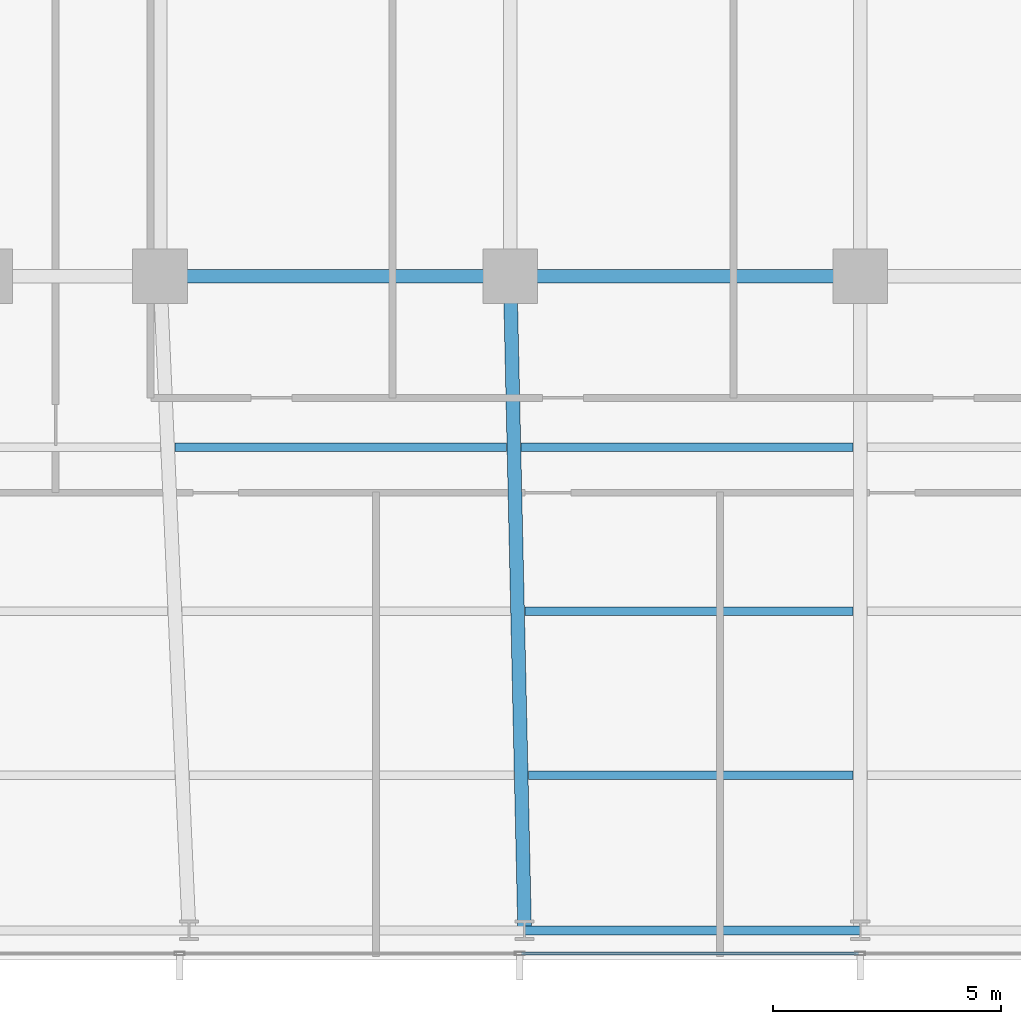
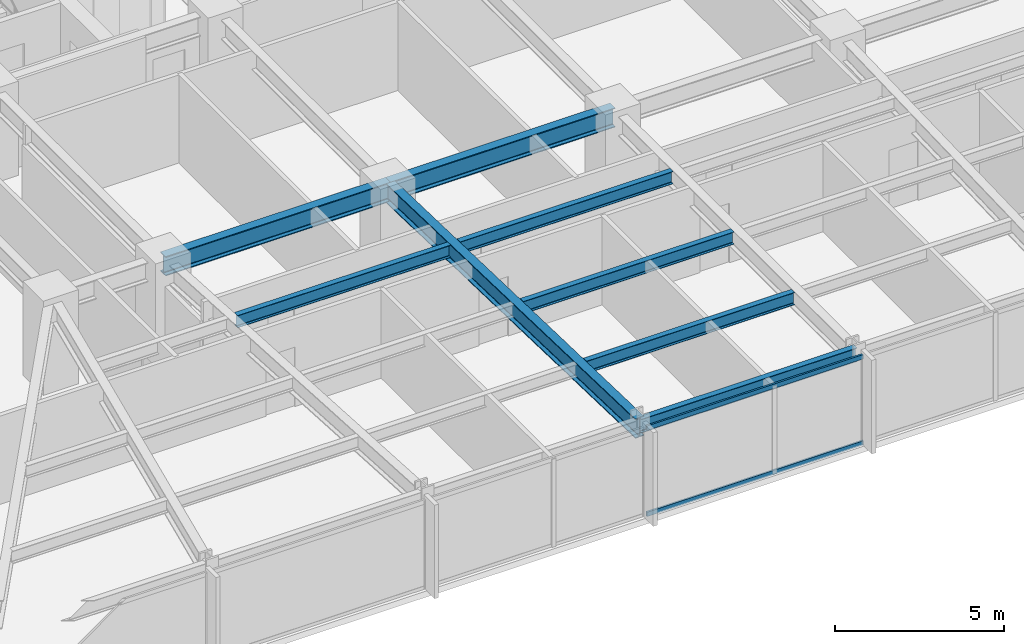
# One storey, part 6 of 33: 8 beams, 2 members, 1 element without a shape of its own.
"""IFC4 building model written with IfcOpenShell, lengths in metres."""

from ifc_helpers import new_model, si_unit, direction, frame, origin, origin_2d, place, context, subcontext, project, spatial, hollow_rectangle, i_section, extrude, material, material_profile, profile_set, type_object, element, aggregate, save


model = new_model("IFC4")

# Units and contexts
model_context = context("Model", 3, precision=1e-05, world=origin(), true_north=direction((0.0, 1.0)))
body_context = subcontext(model_context, "Body", "Model", "MODEL_VIEW")
ifc_project = project(units=[si_unit("LENGTHUNIT", "METRE"), si_unit("AREAUNIT", "SQUARE_METRE"), si_unit("VOLUMEUNIT", "CUBIC_METRE"), si_unit("PLANEANGLEUNIT", "RADIAN"), si_unit("MASSUNIT", "GRAM", prefix="KILO")], contexts=[model_context])

# Site, building, storey
site_placement = place(None, origin())
site = spatial("IfcSite", under=ifc_project, at=site_placement, CompositionType="ELEMENT")
building_placement = place(site_placement, origin())
building = spatial("IfcBuilding", under=site, at=building_placement, Name="Yelkora Congress Tower", CompositionType="ELEMENT")
storey_placement = place(building_placement, frame((0.0, 0.0, 71.199951171875)))
storey = spatial("IfcBuildingStorey", under=building, at=storey_placement, Name="L18", CompositionType="ELEMENT", Elevation=71.199951171875)

# Beams
ifc_material_1 = material(Name="Steel S355J2", Category="steel")
ifc_material_profile_1 = material_profile(ifc_material_1, i_section(OverallWidth=0.300048828125, OverallDepth=0.699951171875, WebThickness=0.01708984375, FlangeThickness=0.031982421875, FilletRadius=0.027099609375, at=origin_2d()), Name="HEB 700")
ifc_profile_set_1 = profile_set([ifc_material_profile_1], Name="Steel S355J2")
beam_type_1 = type_object("IfcBeamType", Name="BM-GIRD-HEB700", PredefinedType="BEAM", material=ifc_profile_set_1)
for number, where, z_axis, x_axis, name in (
    (1, (23.0400390625, 25.199951171875, 2.830078125), (1.0, 0.0, 0.0), (0.0, 1.0, 0.0), "L18 Spine Grid D Girder 2"),
    (2, (30.719970703125, 25.199951171875, 2.830078125), (1.0, 0.0, 0.0), (0.0, 1.0, 0.0), "L18 Spine Grid D Girder 3"),
):
    element("IfcBeam", number, at=place(storey_placement, frame(where, z_axis=z_axis, x_axis=x_axis)), inside=storey, type_object=beam_type_1, Name=name, PredefinedType="BEAM", context=body_context, shape_type="SweptSolid", body=[
        extrude(i_section(OverallWidth=0.300048828125, OverallDepth=0.699951171875, WebThickness=0.01708984375, FlangeThickness=0.031982421875, FilletRadius=0.027099609375, at=origin_2d()), origin(), (0.0, 0.0, 1.0), 7.679931640625),
    ])
beam_1_placement = place(storey_placement, frame((31.03759765625, 10.85009765625, 2.830078125), z_axis=(-0.022129088136, 0.999755121746, 0.0), x_axis=(-0.999755121746, -0.022129088136, 0.0)))
element("IfcBeam", 3, at=beam_1_placement, inside=storey, type_object=beam_type_1, Name="L18 Primary Frame Girder S04", PredefinedType="BEAM", context=body_context, shape_type="SweptSolid", body=[
    extrude(i_section(OverallWidth=0.300048828125, OverallDepth=0.699951171875, WebThickness=0.01708984375, FlangeThickness=0.031982421875, FilletRadius=0.027099609375, at=origin_2d()), origin(), (0.0, 0.0, 1.0), 14.353271484375),
])
ifc_material_profile_2 = material_profile(ifc_material_1, i_section(OverallWidth=0.18994140625, OverallDepth=0.449951171875, WebThickness=0.009521484375, FlangeThickness=0.0146484375, FilletRadius=0.02099609375, at=origin_2d()), Name="IPE 450")
ifc_profile_set_2 = profile_set([ifc_material_profile_2], Name="Steel S355J2")
beam_type_2 = type_object("IfcBeamType", Name="BM-JOIST-IPE450", PredefinedType="JOIST", material=ifc_profile_set_2)
beam_2_placement = place(storey_placement, frame((31.122314453125, 14.25, 2.955078125), z_axis=(1.0, 0.0, 0.0), x_axis=(0.0, 1.0, 0.0)))
element("IfcBeam", 4, at=beam_2_placement, inside=storey, type_object=beam_type_2, Name="L18 Composite Floor Joist 4", PredefinedType="JOIST", context=body_context, shape_type="SweptSolid", body=[
    extrude(i_section(OverallWidth=0.18994140625, OverallDepth=0.449951171875, WebThickness=0.009521484375, FlangeThickness=0.0146484375, FilletRadius=0.02099609375, at=origin_2d()), origin(), (0.0, 0.0, 1.0), 7.11767578125),
])
beam_3_placement = place(storey_placement, frame((31.04248046875, 17.85009765625, 2.955078125), z_axis=(1.0, 0.0, 0.0), x_axis=(0.0, 1.0, 0.0)))
element("IfcBeam", 5, at=beam_3_placement, inside=storey, type_object=beam_type_2, Name="L18 Composite Floor Joist 12", PredefinedType="JOIST", context=body_context, shape_type="SweptSolid", body=[
    extrude(i_section(OverallWidth=0.18994140625, OverallDepth=0.449951171875, WebThickness=0.009521484375, FlangeThickness=0.0146484375, FilletRadius=0.02099609375, at=origin_2d()), origin(), (0.0, 0.0, 1.0), 7.197509765625),
])
for number, where, z_axis, x_axis, name in (
    (6, (23.365966796875, 21.449951171875, 2.955078125), (1.0, 0.0, 0.0), (0.0, 1.0, 0.0), "L18 Composite Floor Joist 18"),
    (7, (30.962890625, 21.449951171875, 2.955078125), (1.0, 0.0, 0.0), (0.0, 1.0, 0.0), "L18 Composite Floor Joist 19"),
):
    element("IfcBeam", number, at=place(storey_placement, frame(where, z_axis=z_axis, x_axis=x_axis)), inside=storey, type_object=beam_type_2, Name=name, PredefinedType="JOIST", context=body_context, shape_type="SweptSolid", body=[
        extrude(i_section(OverallWidth=0.18994140625, OverallDepth=0.449951171875, WebThickness=0.009521484375, FlangeThickness=0.0146484375, FilletRadius=0.02099609375, at=origin_2d()), origin(), (0.0, 0.0, 1.0), 7.277099609375),
    ])
ifc_material_profile_3 = material_profile(ifc_material_1, i_section(OverallWidth=0.199951171875, OverallDepth=0.5, WebThickness=0.01025390625, FlangeThickness=0.01611328125, FilletRadius=0.02099609375, at=origin_2d()), Name="IPE 500")
ifc_profile_set_3 = profile_set([ifc_material_profile_3], Name="Steel S355J2")
beam_type_3 = type_object("IfcBeamType", Name="BM-SPAN-IPE500", PredefinedType="SPANDREL", material=ifc_profile_set_3)
beam_4_placement = place(storey_placement, frame((31.03759765625, 10.85009765625, 2.929931640625), z_axis=(1.0, 0.0, 0.0), x_axis=(0.0, 1.0, 0.0)))
element("IfcBeam", 8, at=beam_4_placement, inside=storey, type_object=beam_type_3, Name="L18 Perimeter Beam 5", PredefinedType="SPANDREL", context=body_context, shape_type="SweptSolid", body=[
    extrude(i_section(OverallWidth=0.199951171875, OverallDepth=0.5, WebThickness=0.01025390625, FlangeThickness=0.01611328125, FilletRadius=0.02099609375, at=origin_2d()), origin(), (0.0, 0.0, 1.0), 7.3623046875),
])

# Curtain wall, members
ifc_material_2 = material(Name="Anodised aluminium and insulated glass", Category="aluminium")
curtain_wall_type = type_object("IfcCurtainWallType", Name="CW-SYS-B1", PredefinedType="NOTDEFINED", material=ifc_material_2)
curtain_wall_placement = place(storey_placement, origin())
curtain_wall = element("IfcCurtainWall", 9, at=curtain_wall_placement, inside=storey, type_object=curtain_wall_type, Name="L18 Unitised Curtain Wall 20", PredefinedType="NOTDEFINED")
ifc_material_3 = material(Name="Anodised aluminium 6063-T6", Category="aluminium")
ifc_material_profile_4 = material_profile(ifc_material_3, hollow_rectangle(XDim=0.06494140625, YDim=0.159912109375, WallThickness=0.00390625, at=origin_2d()), Name="ALU 65x160x4")
ifc_profile_set_4 = profile_set([ifc_material_profile_4], Name="Anodised aluminium 6063-T6")
member_type = type_object("IfcMemberType", Name="MEM-TR-B1", PredefinedType="USERDEFINED", material=ifc_profile_set_4)
member_1_placement = place(storey_placement, frame((38.362548828125, 10.340087890625, 0.032470703125), z_axis=(-1.0, 0.0, 0.0), x_axis=(0.0, -1.0, 0.0)))
member_1 = element("IfcMember", 10, at=member_1_placement, type_object=member_type, Name="CW-B1 transom 5.1", ObjectType="TRANSOM", PredefinedType="USERDEFINED", context=body_context, shape_type="SweptSolid", body=[
    extrude(hollow_rectangle(XDim=0.06494140625, YDim=0.159912109375, WallThickness=0.00390625, at=origin_2d()), origin(), (0.0, 0.0, 1.0), 7.39013671875),
])
member_2_placement = place(storey_placement, frame((38.362548828125, 10.340087890625, 3.1474609375), z_axis=(-1.0, 0.0, 0.0), x_axis=(0.0, -1.0, 0.0)))
member_2 = element("IfcMember", 11, at=member_2_placement, type_object=member_type, Name="CW-B1 transom 5.2", ObjectType="TRANSOM", PredefinedType="USERDEFINED", context=body_context, shape_type="SweptSolid", body=[
    extrude(hollow_rectangle(XDim=0.06494140625, YDim=0.159912109375, WallThickness=0.00390625, at=origin_2d()), origin(), (0.0, 0.0, 1.0), 7.39013671875),
])
aggregate(curtain_wall, [member_1, member_2])

save(model, "model.ifc")
